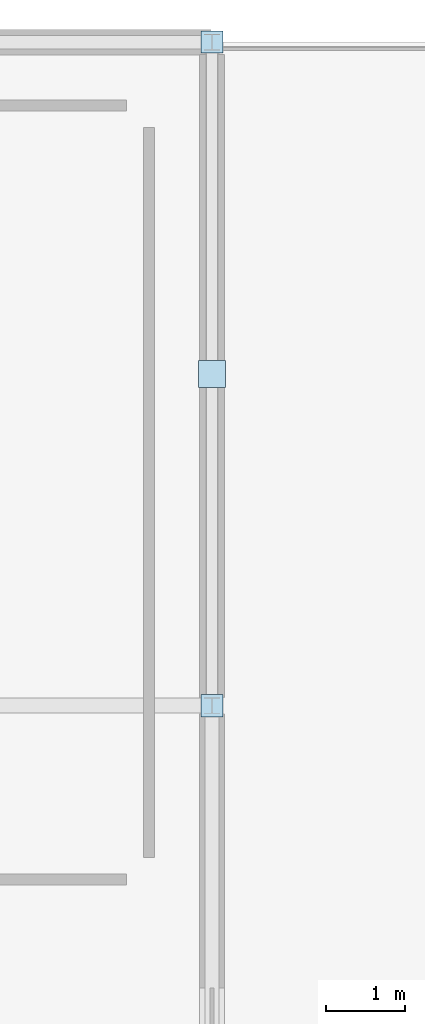
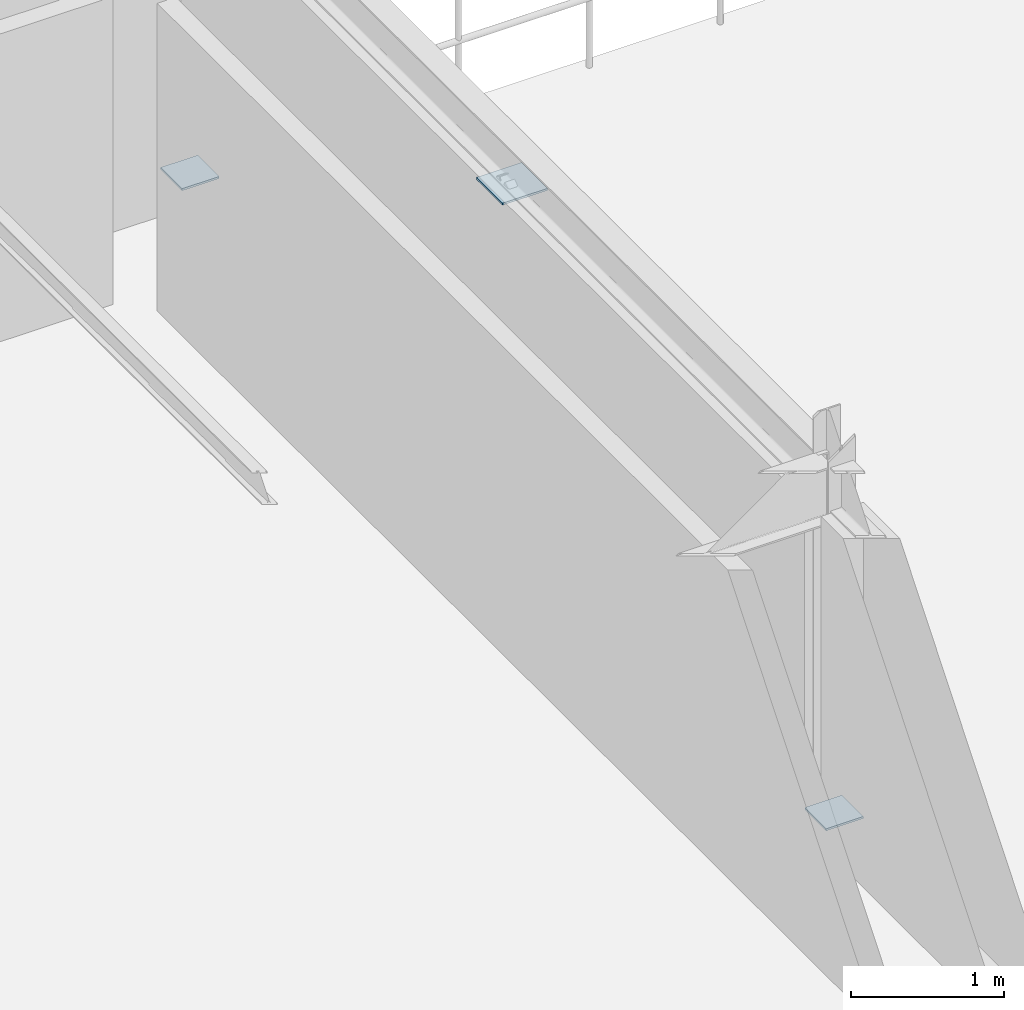
# One storey, part 15 of 23: 3 plates.
"""IFC4 building model written with IfcOpenShell, lengths in metres."""

from ifc_helpers import new_model, si_unit, derived_unit, direction, frame, origin, origin_2d_with_axis, place, context, subcontext, project, spatial, rectangle, extrude, material, layer, layer_set, type_object, element, save


model = new_model("IFC4")

# Units and contexts
model_context = context("Model", 3, precision=1e-05, world=origin(), true_north=direction((0.0, 1.0)))
body_context = subcontext(model_context, "Body", "Model", "MODEL_VIEW")
ifc_project = project(units=[si_unit("LENGTHUNIT", "METRE"), si_unit("AREAUNIT", "SQUARE_METRE"), si_unit("VOLUMEUNIT", "CUBIC_METRE"), si_unit("PLANEANGLEUNIT", "RADIAN"), si_unit("MASSUNIT", "GRAM", prefix="KILO"), derived_unit("THERMALTRANSMITTANCEUNIT", [(si_unit("POWERUNIT", "WATT"), 1), (si_unit("LENGTHUNIT", "METRE"), -2), (si_unit("THERMODYNAMICTEMPERATUREUNIT", "KELVIN"), -1)])], contexts=[model_context])

# Site, building, storey
site_placement = place(None, origin())
site = spatial("IfcSite", under=ifc_project, at=site_placement, CompositionType="ELEMENT")
building_placement = place(site_placement, origin())
building = spatial("IfcBuilding", under=site, at=building_placement, Name="Cinnabar Yard Market Hall", CompositionType="ELEMENT")
storey_placement = place(building_placement, frame((0.0, 0.0, 12.0)))
storey = spatial("IfcBuildingStorey", under=building, at=storey_placement, Name="L03", CompositionType="ELEMENT", Elevation=12.0)

# Plates
ifc_material = material(Name="Steel Grade 350 (350 MPa)", Category="steel")
ifc_layer_1 = layer(ifc_material, 0.01611328125)
ifc_layer_set_1 = layer_set([ifc_layer_1], Name="Steel Grade 350 (350 MPa)")
plate_type_1 = type_object("IfcPlateType", Name="PL-NP18E", PredefinedType="SHEET", material=ifc_layer_set_1)
plate_placement = place(storey_placement, frame((156.0, 133.800048828125, 2.592041015625), z_axis=(0.0, 0.0, 1.0), x_axis=(1.0, 0.0, 0.0)))
element("IfcPlate", 1, at=plate_placement, inside=storey, type_object=plate_type_1, Name="Brace Apex Gusset CBF-V3-E3", PredefinedType="SHEET", context=body_context, shape_type="SweptSolid", body=[
    extrude(rectangle(XDim=0.340087890625, YDim=0.340087890625, at=origin_2d_with_axis()), origin(), (0.0, 0.0, 1.0), 0.01611328125),
])
ifc_layer_2 = layer(ifc_material, 0.01611328125)
ifc_layer_set_2 = layer_set([ifc_layer_2], Name="Steel Grade 350 (350 MPa)")
plate_type_2 = type_object("IfcPlateType", Name="PL-NP19E", PredefinedType="SHEET", material=ifc_layer_set_2)
for number, where, z_axis, x_axis, name in (
    (2, (156.0, 129.60009765625, 0.1318359375), (0.0, 0.0, 1.0), (1.0, 0.0, 0.0), "Brace Base Gusset CBF-V3-E3 L"),
    (3, (156.0, 138.0, 0.1318359375), (0.0, 0.0, 1.0), (1.0, 0.0, 0.0), "Brace Base Gusset CBF-V3-E3 R"),
):
    element("IfcPlate", number, at=place(storey_placement, frame(where, z_axis=z_axis, x_axis=x_axis)), inside=storey, type_object=plate_type_2, Name=name, PredefinedType="SHEET", context=body_context, shape_type="SweptSolid", body=[
        extrude(rectangle(XDim=0.280029296875, YDim=0.280029296875, at=origin_2d_with_axis()), origin(), (0.0, 0.0, 1.0), 0.01611328125),
    ])

save(model, "model.ifc")
